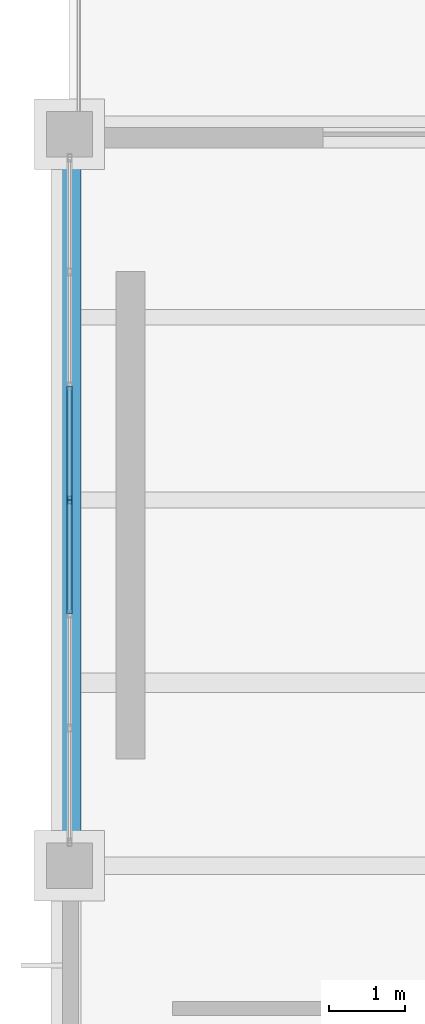
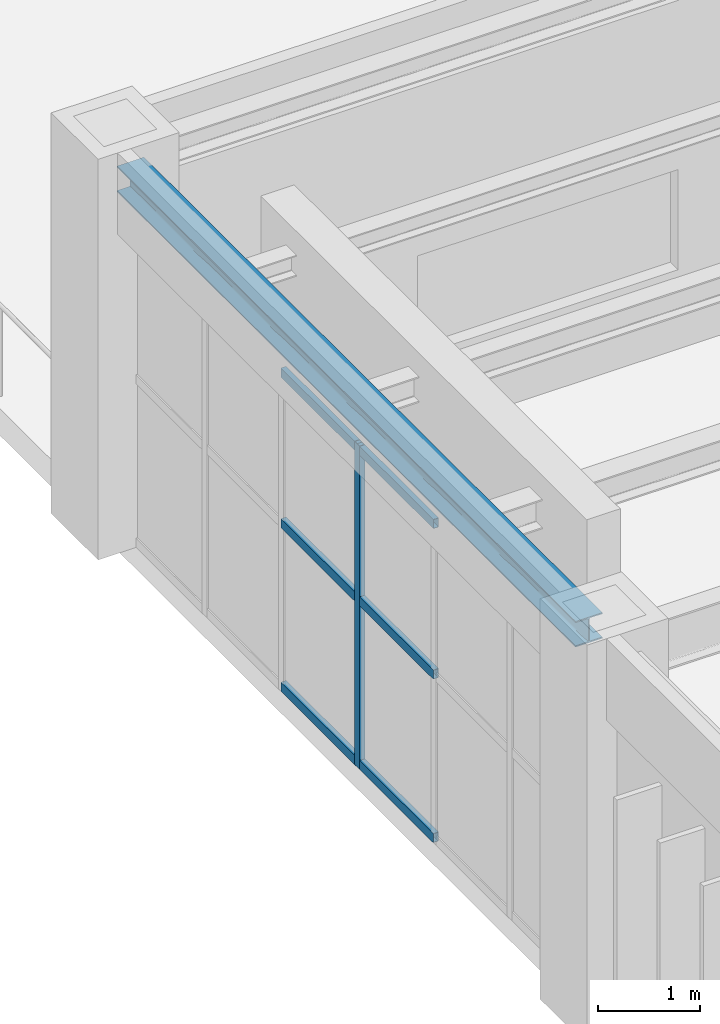
# One storey, part 3 of 83: 7 members, 1 beam, 1 element without a shape of its own.
"""IFC4 building model written with IfcOpenShell, lengths in metres."""

from ifc_helpers import new_model, si_unit, direction, frame, origin, origin_2d, place, context, subcontext, project, spatial, hollow_rectangle, i_section, extrude, material, material_profile, profile_set, type_object, element, aggregate, save


model = new_model("IFC4")

# Units and contexts
model_context = context("Model", 3, precision=1e-05, world=origin(), true_north=direction((0.0, 1.0)))
body_context = subcontext(model_context, "Body", "Model", "MODEL_VIEW")
ifc_project = project(units=[si_unit("LENGTHUNIT", "METRE"), si_unit("AREAUNIT", "SQUARE_METRE"), si_unit("VOLUMEUNIT", "CUBIC_METRE"), si_unit("PLANEANGLEUNIT", "RADIAN"), si_unit("MASSUNIT", "GRAM", prefix="KILO")], contexts=[model_context])

# Site, building, storey
site_placement = place(None, origin())
site = spatial("IfcSite", under=ifc_project, at=site_placement, CompositionType="ELEMENT")
building_placement = place(site_placement, origin())
building = spatial("IfcBuilding", under=site, at=building_placement, Name="Mavantir Sound Aquarium", CompositionType="ELEMENT")
storey_placement = place(building_placement, frame((0.0, 0.0, 10.5)))
storey = spatial("IfcBuildingStorey", under=building, at=storey_placement, Name="L02", CompositionType="ELEMENT", Elevation=10.5)

# Beam
ifc_material_1 = material(Name="Structural Steel ASTM A992 Gr50", Category="steel")
ifc_material_profile_1 = material_profile(ifc_material_1, i_section(OverallWidth=0.304931640625, OverallDepth=0.30810546875, WebThickness=0.010009765625, FlangeThickness=0.015380859375, FilletRadius=0.014892578125, at=origin_2d()), Name="W310X97")
ifc_profile_set_1 = profile_set([ifc_material_profile_1], Name="Structural Steel ASTM A992 Gr50")
beam_type = type_object("IfcBeamType", Name="BM-W310X97-E", PredefinedType="SPANDREL", material=ifc_profile_set_1)
beam_placement = place(storey_placement, frame((0.0, 9.89990234375, 4.362060546875), z_axis=(0.0, 1.0, 0.0), x_axis=(-1.0, 0.0, 0.0)))
element("IfcBeam", 1, at=beam_placement, inside=storey, type_object=beam_type, Name="L02 primary girder SS-31A 1506", PredefinedType="SPANDREL", context=body_context, shape_type="SweptSolid", body=[
    extrude(i_section(OverallWidth=0.304931640625, OverallDepth=0.30810546875, WebThickness=0.010009765625, FlangeThickness=0.015380859375, FilletRadius=0.014892578125, at=origin_2d()), origin(), (0.0, 0.0, 1.0), 9.0),
])

# Curtain wall, members
ifc_material_2 = material(Name="Anodised Marine Aluminium and Low-E Glass", Category="aluminium")
curtain_wall_type = type_object("IfcCurtainWallType", Name="CW-T07", PredefinedType="USERDEFINED", material=ifc_material_2)
curtain_wall_placement = place(storey_placement, origin())
curtain_wall = element("IfcCurtainWall", 2, at=curtain_wall_placement, inside=storey, type_object=curtain_wall_type, Name="L02 unitised curtain wall CW-07 127", ObjectType="UNITISED GLAZING", PredefinedType="USERDEFINED")
ifc_material_3 = material(Name="Anodised Marine Aluminium 6063-T6", Category="aluminium")
ifc_material_profile_2 = material_profile(ifc_material_3, hollow_rectangle(XDim=0.06005859375, YDim=0.10009765625, WallThickness=0.00390625, at=origin_2d()), Name="ALU-MULLION-100X60")
ifc_profile_set_2 = profile_set([ifc_material_profile_2], Name="Anodised Marine Aluminium 6063-T6")
member_type_1 = type_object("IfcMemberType", Name="CW-MUL-100", PredefinedType="MULLION", material=ifc_profile_set_2)
member_1_placement = place(storey_placement, frame((0.0, 14.39990234375, 0.0), z_axis=(0.0, 0.0, 1.0), x_axis=(1.0, 0.0, 0.0)))
member_1 = element("IfcMember", 3, at=member_1_placement, type_object=member_type_1, Name="CW-L02-127 vertical mullion 4", PredefinedType="MULLION", context=body_context, shape_type="SweptSolid", body=[
    extrude(hollow_rectangle(XDim=0.06005859375, YDim=0.10009765625, WallThickness=0.00390625, at=origin_2d()), origin(), (0.0, 0.0, 1.0), 3.8740234375),
])
ifc_material_profile_3 = material_profile(ifc_material_3, hollow_rectangle(XDim=0.06005859375, YDim=0.110107421875, WallThickness=0.00390625, at=origin_2d()), Name="ALU-TRANSOM-110X60")
ifc_profile_set_3 = profile_set([ifc_material_profile_3], Name="Anodised Marine Aluminium 6063-T6")
member_type_2 = type_object("IfcMemberType", Name="CW-TRN-110", PredefinedType="USERDEFINED", material=ifc_profile_set_3)
member_2_placement = place(storey_placement, frame((0.0, 15.897216796875, 0.054931640625), z_axis=(0.0, -1.0, 0.0), x_axis=(1.0, 0.0, 0.0)))
member_2 = element("IfcMember", 4, at=member_2_placement, type_object=member_type_2, Name="CW-L02-127 transom 3.1", ObjectType="TRANSOM", PredefinedType="USERDEFINED", context=body_context, shape_type="SweptSolid", body=[
    extrude(hollow_rectangle(XDim=0.06005859375, YDim=0.110107421875, WallThickness=0.00390625, at=origin_2d()), origin(), (0.0, 0.0, 1.0), 1.497314453125),
])
member_3_placement = place(storey_placement, frame((0.0, 15.897216796875, 2.014404296875), z_axis=(0.0, -1.0, 0.0), x_axis=(1.0, 0.0, 0.0)))
member_3 = element("IfcMember", 5, at=member_3_placement, type_object=member_type_2, Name="CW-L02-127 transom 3.2", ObjectType="TRANSOM", PredefinedType="USERDEFINED", context=body_context, shape_type="SweptSolid", body=[
    extrude(hollow_rectangle(XDim=0.06005859375, YDim=0.110107421875, WallThickness=0.00390625, at=origin_2d()), origin(), (0.0, 0.0, 1.0), 1.497314453125),
])
member_4_placement = place(storey_placement, frame((0.0, 15.897216796875, 3.819091796875), z_axis=(0.0, -1.0, 0.0), x_axis=(1.0, 0.0, 0.0)))
member_4 = element("IfcMember", 6, at=member_4_placement, type_object=member_type_2, Name="CW-L02-127 transom 3.3", ObjectType="TRANSOM", PredefinedType="USERDEFINED", context=body_context, shape_type="SweptSolid", body=[
    extrude(hollow_rectangle(XDim=0.06005859375, YDim=0.110107421875, WallThickness=0.00390625, at=origin_2d()), origin(), (0.0, 0.0, 1.0), 1.497314453125),
])
member_5_placement = place(storey_placement, frame((0.0, 14.39990234375, 0.054931640625), z_axis=(0.0, -1.0, 0.0), x_axis=(1.0, 0.0, 0.0)))
member_5 = element("IfcMember", 7, at=member_5_placement, type_object=member_type_2, Name="CW-L02-127 transom 4.1", ObjectType="TRANSOM", PredefinedType="USERDEFINED", context=body_context, shape_type="SweptSolid", body=[
    extrude(hollow_rectangle(XDim=0.06005859375, YDim=0.110107421875, WallThickness=0.00390625, at=origin_2d()), origin(), (0.0, 0.0, 1.0), 1.497314453125),
])
member_6_placement = place(storey_placement, frame((0.0, 14.39990234375, 2.014404296875), z_axis=(0.0, -1.0, 0.0), x_axis=(1.0, 0.0, 0.0)))
member_6 = element("IfcMember", 8, at=member_6_placement, type_object=member_type_2, Name="CW-L02-127 transom 4.2", ObjectType="TRANSOM", PredefinedType="USERDEFINED", context=body_context, shape_type="SweptSolid", body=[
    extrude(hollow_rectangle(XDim=0.06005859375, YDim=0.110107421875, WallThickness=0.00390625, at=origin_2d()), origin(), (0.0, 0.0, 1.0), 1.497314453125),
])
member_7_placement = place(storey_placement, frame((0.0, 14.39990234375, 3.819091796875), z_axis=(0.0, -1.0, 0.0), x_axis=(1.0, 0.0, 0.0)))
member_7 = element("IfcMember", 9, at=member_7_placement, type_object=member_type_2, Name="CW-L02-127 transom 4.3", ObjectType="TRANSOM", PredefinedType="USERDEFINED", context=body_context, shape_type="SweptSolid", body=[
    extrude(hollow_rectangle(XDim=0.06005859375, YDim=0.110107421875, WallThickness=0.00390625, at=origin_2d()), origin(), (0.0, 0.0, 1.0), 1.497314453125),
])
aggregate(curtain_wall, [member_1, member_2, member_3, member_4, member_5, member_6, member_7])

save(model, "model.ifc")
